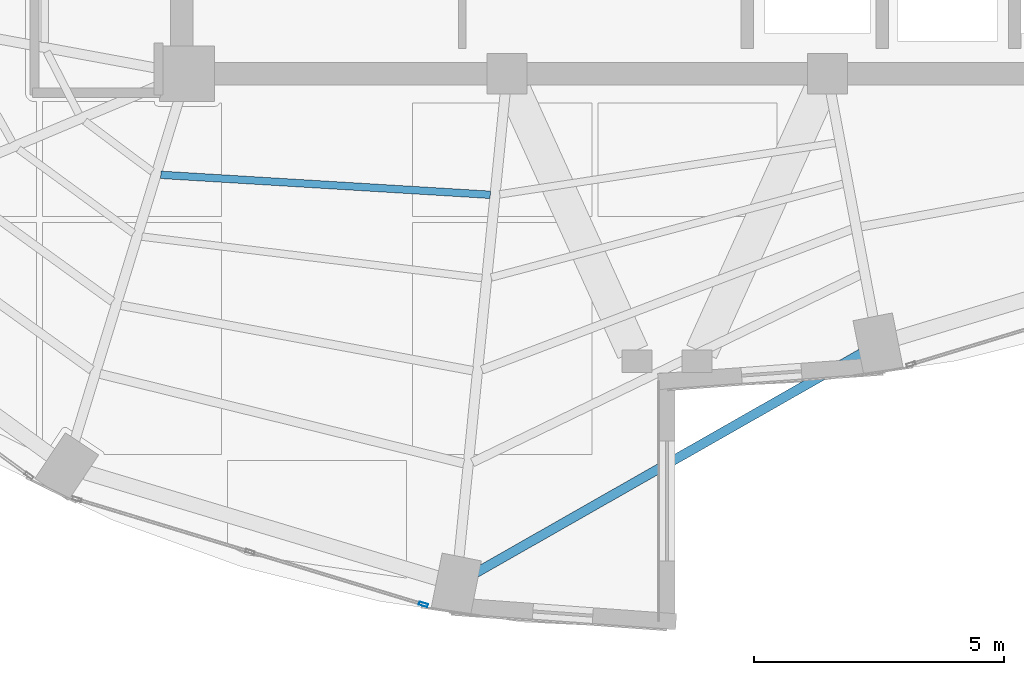
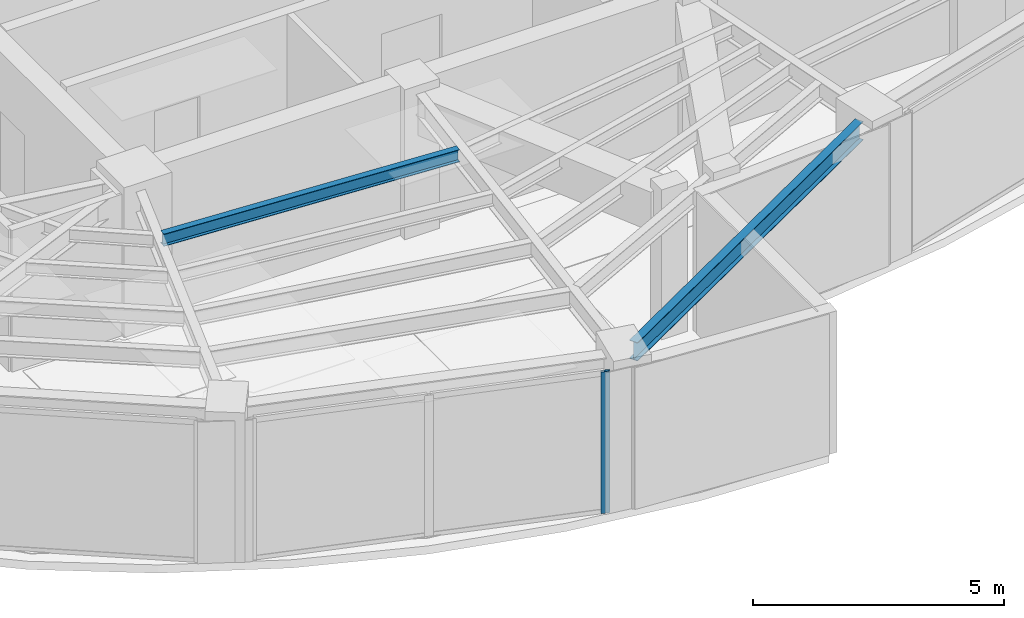
# One storey, part 5 of 23: 2 beams, 1 member, 1 element without a shape of its own.
"""IFC4 building model written with IfcOpenShell, lengths in metres."""

from ifc_helpers import new_model, si_unit, direction, frame, origin, origin_2d, place, context, subcontext, project, spatial, hollow_rectangle, i_section, extrude, material, layer, layer_set, material_profile, profile_set, type_object, element, aggregate, save


model = new_model("IFC4")

# Units and contexts
model_context = context("Model", 3, precision=1e-05, world=origin(), true_north=direction((0.0, 1.0)))
body_context = subcontext(model_context, "Body", "Model", "MODEL_VIEW")
ifc_project = project(units=[si_unit("LENGTHUNIT", "METRE"), si_unit("AREAUNIT", "SQUARE_METRE"), si_unit("VOLUMEUNIT", "CUBIC_METRE"), si_unit("PLANEANGLEUNIT", "RADIAN"), si_unit("MASSUNIT", "GRAM", prefix="KILO")], contexts=[model_context])

# Site, building, storey
site_placement = place(None, origin())
site = spatial("IfcSite", under=ifc_project, at=site_placement, CompositionType="ELEMENT")
building_placement = place(site_placement, origin())
building = spatial("IfcBuilding", under=site, at=building_placement, Name="Lazwardi Medical Tower", CompositionType="ELEMENT")
storey_placement = place(building_placement, frame((0.0, 0.0, 262.320068359375)))
storey = spatial("IfcBuildingStorey", under=building, at=storey_placement, Name="L68", CompositionType="ELEMENT", Elevation=262.320068359375)

# Beams
ifc_material_1 = material(Name="Steel S355", Category="steel")
ifc_material_profile_1 = material_profile(ifc_material_1, i_section(OverallWidth=0.14990234375, OverallDepth=0.300048828125, WebThickness=0.007080078125, FlangeThickness=0.0107421875, at=origin_2d()), Name="IPE 300")
ifc_profile_set_1 = profile_set([ifc_material_profile_1], Name="Steel S355")
beam_type_1 = type_object("IfcBeamType", Name="BM-SJ-03", PredefinedType="JOIST", material=ifc_profile_set_1)
beam_1_placement = place(storey_placement, frame((25.879150390625, 18.3798828125, 3.2978515625), z_axis=(0.998165515862, -0.060544223044, 0.0), x_axis=(0.060544223044, 0.998165515862, 0.0)))
element("IfcBeam", 1, at=beam_1_placement, inside=storey, type_object=beam_type_1, Name="Secondary joist SJ-03 R4 B15 L68", PredefinedType="JOIST", context=body_context, shape_type="SweptSolid", body=[
    extrude(i_section(OverallWidth=0.14990234375, OverallDepth=0.300048828125, WebThickness=0.007080078125, FlangeThickness=0.0107421875, at=origin_2d()), origin(), (0.0, 0.0, 1.0), 6.59716796875),
])
ifc_material_profile_2 = material_profile(ifc_material_1, i_section(OverallWidth=0.18994140625, OverallDepth=0.449951171875, WebThickness=0.009521484375, FlangeThickness=0.0146484375, at=origin_2d()), Name="IPE 450")
ifc_profile_set_2 = profile_set([ifc_material_profile_2], Name="Steel S355")
beam_type_2 = type_object("IfcBeamType", Name="BM-SP-01", PredefinedType="SPANDREL", material=ifc_profile_set_2)
beam_2_placement = place(storey_placement, frame((32.125, 10.394775390625, 3.222900390625), z_axis=(0.868954808466, 0.494891443494, 0.0), x_axis=(-0.494891443494, 0.868954808466, 0.0)))
element("IfcBeam", 2, at=beam_2_placement, inside=storey, type_object=beam_type_2, Name="Spandrel beam SP-01 B16 L68", PredefinedType="SPANDREL", context=body_context, shape_type="SweptSolid", body=[
    extrude(i_section(OverallWidth=0.18994140625, OverallDepth=0.449951171875, WebThickness=0.009521484375, FlangeThickness=0.0146484375, at=origin_2d()), origin(), (0.0, 0.0, 1.0), 8.918701171875),
])

# Curtain wall, member
ifc_material_2 = material(Name="Anodised bronze aluminium and solar control glazing", Category="aluminium")
ifc_layer = layer(ifc_material_2, 0.18994140625)
ifc_layer_set = layer_set([ifc_layer], Name="Anodised bronze aluminium and solar control glazing")
curtain_wall_type = type_object("IfcCurtainWallType", Name="CW-SYS-04", PredefinedType="NOTDEFINED", material=ifc_layer_set)
curtain_wall_placement = place(storey_placement, origin())
curtain_wall = element("IfcCurtainWall", 3, at=curtain_wall_placement, inside=storey, type_object=curtain_wall_type, Name="L68 Unitised bronze curtain wall CW-04", PredefinedType="NOTDEFINED")
ifc_material_3 = material(Name="Anodised bronze aluminium", Category="aluminium")
ifc_material_profile_3 = material_profile(ifc_material_3, hollow_rectangle(XDim=0.06494140625, YDim=0.179931640625, WallThickness=0.00390625, at=origin_2d()), Name="ALU-MULLION 180x65x4")
ifc_profile_set_3 = profile_set([ifc_material_profile_3], Name="Anodised bronze aluminium")
member_type = type_object("IfcMemberType", Name="CW-MUL-03", PredefinedType="MULLION", material=ifc_profile_set_3)
member_placement = place(storey_placement, frame((31.126953125, 9.79296875, 0.0), z_axis=(0.0, 0.0, 1.0), x_axis=(0.290581889515, 0.956850126972, 0.0)))
member = element("IfcMember", 4, at=member_placement, type_object=member_type, Name="CW-04 mullion 3", PredefinedType="MULLION", context=body_context, shape_type="SweptSolid", body=[
    extrude(hollow_rectangle(XDim=0.06494140625, YDim=0.179931640625, WallThickness=0.00390625, at=origin_2d()), origin(), (0.0, 0.0, 1.0), 3.447998046875),
])
aggregate(curtain_wall, [member])

save(model, "model.ifc")
